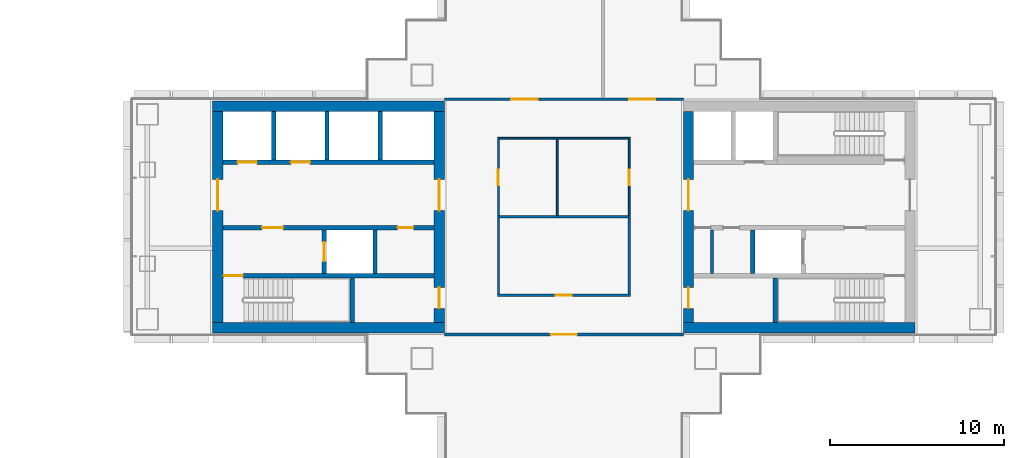
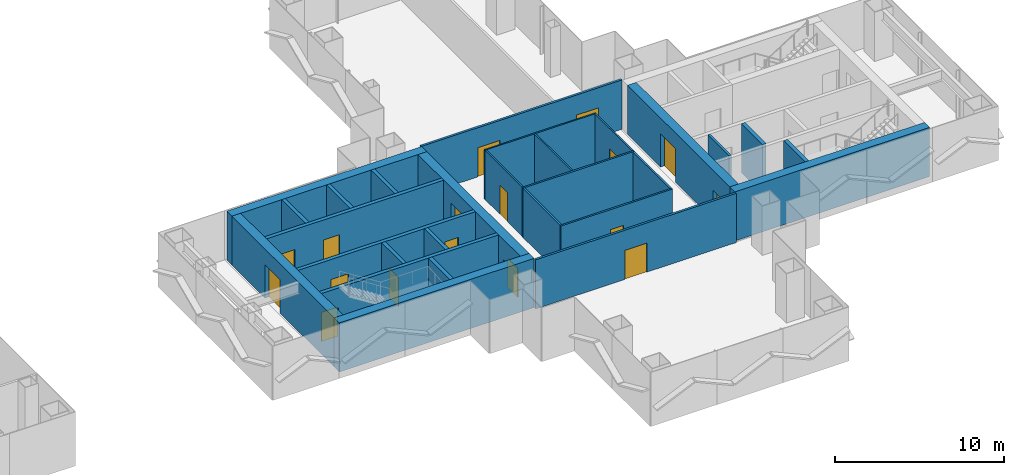
# One storey, part 13 of 19: 28 walls, 17 doors, 17 openings.
"""IFC4 building model written with IfcOpenShell, lengths in metres."""

from ifc_helpers import new_model, si_unit, direction, frame, frame_2d, origin, place, context, subcontext, project, spatial, rectangle, extrude, material, layer, layer_set, type_object, element, fill, save


model = new_model("IFC4")

# Units and contexts
model_context = context("Model", 3, precision=1e-05, world=origin(), true_north=direction((0.0, 1.0)))
body_context = subcontext(model_context, "Body", "Model", "MODEL_VIEW")
ifc_project = project(units=[si_unit("LENGTHUNIT", "METRE"), si_unit("AREAUNIT", "SQUARE_METRE"), si_unit("VOLUMEUNIT", "CUBIC_METRE"), si_unit("PLANEANGLEUNIT", "RADIAN"), si_unit("MASSUNIT", "GRAM", prefix="KILO")], contexts=[model_context])

# Site, building, storey
site_placement = place(None, origin())
site = spatial("IfcSite", under=ifc_project, at=site_placement, CompositionType="ELEMENT")
building_placement = place(site_placement, origin())
building = spatial("IfcBuilding", under=site, at=building_placement, Name="Shamsa Quay Exchange Towers", CompositionType="ELEMENT")
storey_placement = place(building_placement, frame((0.0, 0.0, 85.800048828125)))
storey = spatial("IfcBuildingStorey", under=building, at=storey_placement, Name="L19", CompositionType="ELEMENT", Elevation=85.800048828125)

# Walls
ifc_material_1 = material(Name="Concrete C70/85", Category="concrete")
ifc_layer_1 = layer(ifc_material_1, 0.60009765625)
ifc_layer_set_1 = layer_set([ifc_layer_1], Name="CORE WALL 600 C70/85")
wall_type_1 = type_object("IfcWallType", Name="CORE WALL 600 C70/85", PredefinedType="SHEAR", material=ifc_layer_set_1)
for number, where, name in (
    (1, (13.60009765625, -6.35009765625, 0.0), "Core wall T2A-R08-PS"),
    (2, (13.60009765625, 6.35009765625, 0.0), "Core wall T2A-R08-PN"),
):
    element("IfcWall", number, at=place(storey_placement, frame(where)), inside=storey, type_object=wall_type_1, Name=name, PredefinedType="SHEAR", context=body_context, shape_type="SweptSolid", body=[
        extrude(rectangle(XDim=13.2998046875, YDim=0.60009765625, at=frame_2d((6.64990234375, 0.0))), origin(), (0.0, 0.0, 1.0), 3.550048828125),
    ])

# Wall, opening, door
wall_1_placement = place(storey_placement, frame((13.89990234375, 6.050048828125, 0.0), z_axis=(0.0, 0.0, 1.0), x_axis=(0.0, -1.0, 0.0)))
wall_1 = element("IfcWall", 3, at=wall_1_placement, inside=storey, type_object=wall_type_1, Name="Core wall T2A-R08-PF", PredefinedType="SHEAR", context=body_context, shape_type="SweptSolid", body=[
    extrude(rectangle(XDim=12.10009765625, YDim=0.60009765625, at=frame_2d((6.050048828125, 0.0))), origin(), (0.0, 0.0, 1.0), 3.550048828125),
])
opening_1_placement = place(wall_1_placement, frame((3.89990234375, 0.0, 0.0)))
opening_1 = element("IfcOpeningElement", 4, at=opening_1_placement, cuts=wall_1, Name="Opening T2A-R08-LBD01", PredefinedType="OPENING", context=body_context, shape_type="SweptSolid", body=[
    extrude(rectangle(XDim=1.800048828125, YDim=2.39990234375, at=frame_2d((0.89990234375, 1.199951171875))), frame((0.0, 0.31005859375, 0.0), z_axis=(0.0, -1.0, 0.0), x_axis=(1.0, 0.0, 0.0)), (0.0, 0.0, 1.0), 0.6201171875),
])
ifc_material_2 = material(Name="Steel, fire rated", Category="steel")
door_type_1 = type_object("IfcDoorType", Name="LIFT LOBBY DOOR PAIR 1800", OperationType="DOUBLE_DOOR_SINGLE_SWING", PredefinedType="DOOR", material=ifc_material_2)
door_1_placement = place(opening_1_placement, origin())
door_1 = element("IfcDoor", 5, at=door_1_placement, inside=storey, type_object=door_type_1, Name="T2A-R08-LBD01", OperationType="DOUBLE_DOOR_SINGLE_SWING", OverallHeight=2.39990234375, OverallWidth=1.800048828125, PredefinedType="DOOR", context=body_context, shape_type="SweptSolid", body=[
    extrude(rectangle(XDim=1.800048828125, YDim=2.39990234375, at=frame_2d((0.89990234375, 1.199951171875))), frame((0.0, 0.02490234375, 0.0), z_axis=(0.0, -1.0, 0.0), x_axis=(1.0, 0.0, 0.0)), (0.0, 0.0, 1.0), 0.050048828125),
])
fill(opening_1, door_1)

# Wall, openings, doors
wall_2_placement = place(storey_placement, frame((26.60009765625, 6.050048828125, 0.0), z_axis=(0.0, 0.0, 1.0), x_axis=(0.0, -1.0, 0.0)))
wall_2 = element("IfcWall", 6, at=wall_2_placement, inside=storey, type_object=wall_type_1, Name="Core wall T2A-R08-PB", PredefinedType="SHEAR", context=body_context, shape_type="SweptSolid", body=[
    extrude(rectangle(XDim=12.10009765625, YDim=0.60009765625, at=frame_2d((6.050048828125, 0.0))), origin(), (0.0, 0.0, 1.0), 3.550048828125),
])
opening_2_placement = place(wall_2_placement, frame((10.10009765625, 0.0, 0.0)))
opening_2 = element("IfcOpeningElement", 7, at=opening_2_placement, cuts=wall_2, Name="Opening T2A-R08-RD02", PredefinedType="OPENING", context=body_context, shape_type="SweptSolid", body=[
    extrude(rectangle(XDim=1.199951171875, YDim=2.10009765625, at=frame_2d((0.60009765625, 1.050048828125))), frame((0.0, 0.31005859375, 0.0), z_axis=(0.0, -1.0, 0.0), x_axis=(1.0, 0.0, 0.0)), (0.0, 0.0, 1.0), 0.6201171875),
])
opening_3_placement = place(wall_2_placement, frame((3.89990234375, 0.0, 0.0)))
opening_3 = element("IfcOpeningElement", 8, at=opening_3_placement, cuts=wall_2, Name="Opening T2A-R08-LBD03", PredefinedType="OPENING", context=body_context, shape_type="SweptSolid", body=[
    extrude(rectangle(XDim=1.800048828125, YDim=2.39990234375, at=frame_2d((0.89990234375, 1.199951171875))), frame((0.0, 0.31005859375, 0.0), z_axis=(0.0, -1.0, 0.0), x_axis=(1.0, 0.0, 0.0)), (0.0, 0.0, 1.0), 0.6201171875),
])
door_2_placement = place(opening_3_placement, origin())
door_2 = element("IfcDoor", 9, at=door_2_placement, inside=storey, type_object=door_type_1, Name="T2A-R08-LBD03", OperationType="DOUBLE_DOOR_SINGLE_SWING", OverallHeight=2.39990234375, OverallWidth=1.800048828125, PredefinedType="DOOR", context=body_context, shape_type="SweptSolid", body=[
    extrude(rectangle(XDim=1.800048828125, YDim=2.39990234375, at=frame_2d((0.89990234375, 1.199951171875))), frame((0.0, 0.02490234375, 0.0), z_axis=(0.0, -1.0, 0.0), x_axis=(1.0, 0.0, 0.0)), (0.0, 0.0, 1.0), 0.050048828125),
])
fill(opening_3, door_2)
door_type_2 = type_object("IfcDoorType", Name="RISER ACCESS DOOR 1200", OperationType="SINGLE_SWING_LEFT", PredefinedType="DOOR", material=ifc_material_2)
door_3_placement = place(opening_2_placement, origin())
door_3 = element("IfcDoor", 10, at=door_3_placement, inside=storey, type_object=door_type_2, Name="T2A-R08-RD02", OperationType="SINGLE_SWING_RIGHT", OverallHeight=2.10009765625, OverallWidth=1.199951171875, PredefinedType="DOOR", context=body_context, shape_type="SweptSolid", body=[
    extrude(rectangle(XDim=1.199951171875, YDim=2.10009765625, at=frame_2d((0.60009765625, 1.050048828125))), frame((0.0, 0.02490234375, 0.0), z_axis=(0.0, -1.0, 0.0), x_axis=(1.0, 0.0, 0.0)), (0.0, 0.0, 1.0), 0.050048828125),
])
fill(opening_2, door_3)

# Wall
wall_3_placement = place(storey_placement, frame((53.89990234375, -6.35009765625, 0.0), z_axis=(0.0, 0.0, 1.0), x_axis=(-1.0, 0.0, 0.0)))
element("IfcWall", 11, at=wall_3_placement, inside=storey, type_object=wall_type_1, Name="Core wall T2B-R08-PS", PredefinedType="SHEAR", context=body_context, shape_type="SweptSolid", body=[
    extrude(rectangle(XDim=13.2998046875, YDim=0.60009765625, at=frame_2d((6.64990234375, 0.0))), origin(), (0.0, 0.0, 1.0), 3.550048828125),
])

# Wall, openings, doors
wall_4_placement = place(storey_placement, frame((40.89990234375, -6.050048828125, 0.0), z_axis=(0.0, 0.0, 1.0), x_axis=(0.0, 1.0, 0.0)))
wall_4 = element("IfcWall", 12, at=wall_4_placement, inside=storey, type_object=wall_type_1, Name="Core wall T2B-R08-PB", PredefinedType="SHEAR", context=body_context, shape_type="SweptSolid", body=[
    extrude(rectangle(XDim=12.10009765625, YDim=0.60009765625, at=frame_2d((6.050048828125, 0.0))), origin(), (0.0, 0.0, 1.0), 3.550048828125),
])
opening_4_placement = place(wall_4_placement, frame((0.800048828125, 0.0, 0.0)))
opening_4 = element("IfcOpeningElement", 13, at=opening_4_placement, cuts=wall_4, Name="Opening T2B-R08-RD02", PredefinedType="OPENING", context=body_context, shape_type="SweptSolid", body=[
    extrude(rectangle(XDim=1.199951171875, YDim=2.10009765625, at=frame_2d((0.60009765625, 1.050048828125))), frame((0.0, 0.31005859375, 0.0), z_axis=(0.0, -1.0, 0.0), x_axis=(1.0, 0.0, 0.0)), (0.0, 0.0, 1.0), 0.6201171875),
])
opening_5_placement = place(wall_4_placement, frame((6.39990234375, 0.0, 0.0)))
opening_5 = element("IfcOpeningElement", 14, at=opening_5_placement, cuts=wall_4, Name="Opening T2B-R08-LBD03", PredefinedType="OPENING", context=body_context, shape_type="SweptSolid", body=[
    extrude(rectangle(XDim=1.800048828125, YDim=2.39990234375, at=frame_2d((0.89990234375, 1.199951171875))), frame((0.0, 0.31005859375, 0.0), z_axis=(0.0, -1.0, 0.0), x_axis=(1.0, 0.0, 0.0)), (0.0, 0.0, 1.0), 0.6201171875),
])
door_4_placement = place(opening_5_placement, origin())
door_4 = element("IfcDoor", 15, at=door_4_placement, inside=storey, type_object=door_type_1, Name="T2B-R08-LBD03", OperationType="DOUBLE_DOOR_SINGLE_SWING", OverallHeight=2.39990234375, OverallWidth=1.800048828125, PredefinedType="DOOR", context=body_context, shape_type="SweptSolid", body=[
    extrude(rectangle(XDim=1.800048828125, YDim=2.39990234375, at=frame_2d((0.89990234375, 1.199951171875))), frame((0.0, 0.02490234375, 0.0), z_axis=(0.0, -1.0, 0.0), x_axis=(1.0, 0.0, 0.0)), (0.0, 0.0, 1.0), 0.050048828125),
])
fill(opening_5, door_4)
door_5_placement = place(opening_4_placement, origin())
door_5 = element("IfcDoor", 16, at=door_5_placement, inside=storey, type_object=door_type_2, Name="T2B-R08-RD02", OperationType="SINGLE_SWING_LEFT", OverallHeight=2.10009765625, OverallWidth=1.199951171875, PredefinedType="DOOR", context=body_context, shape_type="SweptSolid", body=[
    extrude(rectangle(XDim=1.199951171875, YDim=2.10009765625, at=frame_2d((0.60009765625, 1.050048828125))), frame((0.0, 0.02490234375, 0.0), z_axis=(0.0, -1.0, 0.0), x_axis=(1.0, 0.0, 0.0)), (0.0, 0.0, 1.0), 0.050048828125),
])
fill(opening_4, door_5)

# Walls
ifc_material_3 = material(Name="Gypsum board on steel studs, EI 60", Category="steel")
ifc_layer_2 = layer(ifc_material_3, 0.14990234375)
ifc_layer_set_2 = layer_set([ifc_layer_2], Name="FIRE PARTITION 150")
wall_type_2 = type_object("IfcWallType", Name="FIRE PARTITION 150", PredefinedType="PARTITIONING", material=ifc_layer_set_2)
wall_5_placement = place(storey_placement, frame((42.25, -3.25, 0.0), z_axis=(0.0, 0.0, 1.0), x_axis=(0.0, 1.0, 0.0)))
element("IfcWall", 17, at=wall_5_placement, inside=storey, type_object=wall_type_2, Name="Partition T2B-R08-EC0", PredefinedType="PARTITIONING", context=body_context, shape_type="SweptSolid", body=[
    extrude(rectangle(XDim=2.5, YDim=0.14990234375, at=frame_2d((1.25, 0.0))), origin(), (0.0, 0.0, 1.0), 3.550048828125),
])
ifc_material_4 = material(Name="Laminated fire-resisting glass in a metal frame", Category="glass")
ifc_layer_3 = layer(ifc_material_4, 0.125)
ifc_layer_set_3 = layer_set([ifc_layer_3], Name="Glazed partition 125 mm EI 60")
wall_type_3 = type_object("IfcWallType", Name="Glazed partition 125 mm EI 60", PredefinedType="PARTITIONING", material=ifc_layer_set_3)
wall_6_placement = place(storey_placement, frame((37.5, -4.4375, 0.0), z_axis=(0.0, 0.0, 1.0), x_axis=(0.0, 1.0, 0.0)))
element("IfcWall", 18, at=wall_6_placement, inside=storey, type_object=wall_type_3, Name="Partition T2-R08-W01", PredefinedType="PARTITIONING", context=body_context, shape_type="SweptSolid", body=[
    extrude(rectangle(XDim=4.375, YDim=0.125, at=frame_2d((2.1875, 0.0))), origin(), (0.0, 0.0, 1.0), 3.550048828125),
])

# Wall, opening, door
wall_7_placement = place(storey_placement, frame((29.9375, -4.5, 0.0)))
wall_7 = element("IfcWall", 19, at=wall_7_placement, inside=storey, type_object=wall_type_3, Name="Partition T2-R08-W02", PredefinedType="PARTITIONING", context=body_context, shape_type="SweptSolid", body=[
    extrude(rectangle(XDim=7.625, YDim=0.125, at=frame_2d((3.8125, 0.0))), origin(), (0.0, 0.0, 1.0), 3.550048828125),
])
opening_6_placement = place(wall_7_placement, frame((3.362548828125, 0.0, 0.0)))
opening_6 = element("IfcOpeningElement", 20, at=opening_6_placement, cuts=wall_7, Name="Opening T2-R08-D03", PredefinedType="OPENING", context=body_context, shape_type="SweptSolid", body=[
    extrude(rectangle(XDim=0.89990234375, YDim=2.10009765625, at=frame_2d((0.449951171875, 1.050048828125))), frame((0.0, 0.072509765625, 0.0), z_axis=(0.0, -1.0, 0.0), x_axis=(1.0, 0.0, 0.0)), (0.0, 0.0, 1.0), 0.14501953125),
])
ifc_material_5 = material(Name="Timber door leaf in a metal frame", Category="wood")
door_type_3 = type_object("IfcDoorType", Name="Door 900x2100 FD30S", OperationType="NOTDEFINED", PredefinedType="DOOR", material=ifc_material_5)
door_6_placement = place(opening_6_placement, origin())
door_6 = element("IfcDoor", 21, at=door_6_placement, inside=storey, type_object=door_type_3, Name="Door T2-R08-D03", OperationType="SINGLE_SWING_RIGHT", OverallHeight=2.10009765625, OverallWidth=0.89990234375, PredefinedType="DOOR", context=body_context, shape_type="SweptSolid", body=[
    extrude(rectangle(XDim=0.89990234375, YDim=2.10009765625, at=frame_2d((0.449951171875, 1.050048828125))), frame((0.0, 0.02490234375, 0.0), z_axis=(0.0, -1.0, 0.0), x_axis=(1.0, 0.0, 0.0)), (0.0, 0.0, 1.0), 0.050048828125),
])
fill(opening_6, door_6)

# Walls
wall_8_placement = place(storey_placement, frame((30.0, -0.0625, 0.0), z_axis=(0.0, 0.0, 1.0), x_axis=(0.0, -1.0, 0.0)))
element("IfcWall", 22, at=wall_8_placement, inside=storey, type_object=wall_type_3, Name="Partition T2-R08-W03", PredefinedType="PARTITIONING", context=body_context, shape_type="SweptSolid", body=[
    extrude(rectangle(XDim=4.375, YDim=0.125, at=frame_2d((2.1875, 0.0))), origin(), (0.0, 0.0, 1.0), 3.550048828125),
])
wall_9_placement = place(storey_placement, frame((37.5625, 0.0, 0.0), z_axis=(0.0, 0.0, 1.0), x_axis=(-1.0, 0.0, 0.0)))
element("IfcWall", 23, at=wall_9_placement, inside=storey, type_object=wall_type_3, Name="Partition T2-R08-W09", PredefinedType="PARTITIONING", context=body_context, shape_type="SweptSolid", body=[
    extrude(rectangle(XDim=7.625, YDim=0.125, at=frame_2d((3.8125, 0.0))), origin(), (0.0, 0.0, 1.0), 3.550048828125),
])

# Wall, opening, door
ifc_material_6 = material(Name="Gypsum board partition on metal studs")
ifc_layer_4 = layer(ifc_material_6, 0.10009765625)
ifc_layer_set_4 = layer_set([ifc_layer_4], Name="Partition 100 mm NOT RATED")
wall_type_4 = type_object("IfcWallType", Name="Partition 100 mm NOT RATED", PredefinedType="PARTITIONING", material=ifc_layer_set_4)
wall_10_placement = place(storey_placement, frame((37.5, 0.0625, 0.0), z_axis=(0.0, 0.0, 1.0), x_axis=(0.0, 1.0, 0.0)))
wall_10 = element("IfcWall", 24, at=wall_10_placement, inside=storey, type_object=wall_type_4, Name="Partition T2-R08-W04", PredefinedType="PARTITIONING", context=body_context, shape_type="SweptSolid", body=[
    extrude(rectangle(XDim=4.387451171875, YDim=0.10009765625, at=frame_2d((2.19384765625, 0.0))), origin(), (0.0, 0.0, 1.0), 3.550048828125),
])
opening_7_placement = place(wall_10_placement, frame((1.737548828125, 0.0, 0.0)))
opening_7 = element("IfcOpeningElement", 25, at=opening_7_placement, cuts=wall_10, Name="Opening T2-R08-D04", PredefinedType="OPENING", context=body_context, shape_type="SweptSolid", body=[
    extrude(rectangle(XDim=0.89990234375, YDim=2.10009765625, at=frame_2d((0.449951171875, 1.050048828125))), frame((0.0, 0.06005859375, 0.0), z_axis=(0.0, -1.0, 0.0), x_axis=(1.0, 0.0, 0.0)), (0.0, 0.0, 1.0), 0.1201171875),
])
door_type_4 = type_object("IfcDoorType", Name="Door 900x2100 NOT RATED", OperationType="NOTDEFINED", PredefinedType="DOOR", material=ifc_material_5)
door_7_placement = place(opening_7_placement, origin())
door_7 = element("IfcDoor", 26, at=door_7_placement, inside=storey, type_object=door_type_4, Name="Door T2-R08-D04", OperationType="SINGLE_SWING_LEFT", OverallHeight=2.10009765625, OverallWidth=0.89990234375, PredefinedType="DOOR", context=body_context, shape_type="SweptSolid", body=[
    extrude(rectangle(XDim=0.89990234375, YDim=2.10009765625, at=frame_2d((0.449951171875, 1.050048828125))), frame((0.0, 0.02490234375, 0.0), z_axis=(0.0, -1.0, 0.0), x_axis=(1.0, 0.0, 0.0)), (0.0, 0.0, 1.0), 0.050048828125),
])
fill(opening_7, door_7)

# Wall
wall_11_placement = place(storey_placement, frame((37.550048828125, 4.5, 0.0), z_axis=(0.0, 0.0, 1.0), x_axis=(-1.0, 0.0, 0.0)))
element("IfcWall", 27, at=wall_11_placement, inside=storey, type_object=wall_type_4, Name="Partition T2-R08-W05", PredefinedType="PARTITIONING", context=body_context, shape_type="SweptSolid", body=[
    extrude(rectangle(XDim=7.60009765625, YDim=0.10009765625, at=frame_2d((3.800048828125, 0.0))), origin(), (0.0, 0.0, 1.0), 3.550048828125),
])

# Wall, opening, door
wall_12_placement = place(storey_placement, frame((30.0, 4.449951171875, 0.0), z_axis=(0.0, 0.0, 1.0), x_axis=(0.0, -1.0, 0.0)))
wall_12 = element("IfcWall", 28, at=wall_12_placement, inside=storey, type_object=wall_type_4, Name="Partition T2-R08-W06", PredefinedType="PARTITIONING", context=body_context, shape_type="SweptSolid", body=[
    extrude(rectangle(XDim=4.387451171875, YDim=0.10009765625, at=frame_2d((2.19384765625, 0.0))), origin(), (0.0, 0.0, 1.0), 3.550048828125),
])
opening_8_placement = place(wall_12_placement, frame((1.75, 0.0, 0.0)))
opening_8 = element("IfcOpeningElement", 29, at=opening_8_placement, cuts=wall_12, Name="Opening T2-R08-D05", PredefinedType="OPENING", context=body_context, shape_type="SweptSolid", body=[
    extrude(rectangle(XDim=0.89990234375, YDim=2.10009765625, at=frame_2d((0.449951171875, 1.050048828125))), frame((0.0, 0.06005859375, 0.0), z_axis=(0.0, -1.0, 0.0), x_axis=(1.0, 0.0, 0.0)), (0.0, 0.0, 1.0), 0.1201171875),
])
door_8_placement = place(opening_8_placement, origin())
door_8 = element("IfcDoor", 30, at=door_8_placement, inside=storey, type_object=door_type_4, Name="Door T2-R08-D05", OperationType="SINGLE_SWING_LEFT", OverallHeight=2.10009765625, OverallWidth=0.89990234375, PredefinedType="DOOR", context=body_context, shape_type="SweptSolid", body=[
    extrude(rectangle(XDim=0.89990234375, YDim=2.10009765625, at=frame_2d((0.449951171875, 1.050048828125))), frame((0.0, 0.02490234375, 0.0), z_axis=(0.0, -1.0, 0.0), x_axis=(1.0, 0.0, 0.0)), (0.0, 0.0, 1.0), 0.050048828125),
])
fill(opening_8, door_8)

# Wall
wall_13_placement = place(storey_placement, frame((33.375, 4.449951171875, 0.0), z_axis=(0.0, 0.0, 1.0), x_axis=(0.0, -1.0, 0.0)))
element("IfcWall", 31, at=wall_13_placement, inside=storey, type_object=wall_type_4, Name="Partition T2-R08-W10", PredefinedType="PARTITIONING", context=body_context, shape_type="SweptSolid", body=[
    extrude(rectangle(XDim=4.387451171875, YDim=0.10009765625, at=frame_2d((2.19384765625, 0.0))), origin(), (0.0, 0.0, 1.0), 3.550048828125),
])

# Wall, openings, doors
ifc_layer_5 = layer(ifc_material_6, 0.14990234375)
ifc_layer_set_5 = layer_set([ifc_layer_5], Name="Partition 150 mm EI 60")
wall_type_5 = type_object("IfcWallType", Name="Partition 150 mm EI 60", PredefinedType="PARTITIONING", material=ifc_layer_set_5)
wall_14_placement = place(storey_placement, frame((26.89990234375, 6.75, 0.0)))
wall_14 = element("IfcWall", 32, at=wall_14_placement, inside=storey, type_object=wall_type_5, Name="Partition T2-R08-W07", PredefinedType="PARTITIONING", context=body_context, shape_type="SweptSolid", body=[
    extrude(rectangle(XDim=13.7001953125, YDim=0.14990234375, at=frame_2d((6.85009765625, 0.0))), origin(), (0.0, 0.0, 1.0), 3.550048828125),
])
opening_9_placement = place(wall_14_placement, frame((10.60009765625, 0.0, 0.0)))
opening_9 = element("IfcOpeningElement", 33, at=opening_9_placement, cuts=wall_14, Name="Opening T2-R08-D01", PredefinedType="OPENING", context=body_context, shape_type="SweptSolid", body=[
    extrude(rectangle(XDim=1.5, YDim=2.10009765625, at=frame_2d((0.75, 1.050048828125))), frame((0.0, 0.0849609375, 0.0), z_axis=(0.0, -1.0, 0.0), x_axis=(1.0, 0.0, 0.0)), (0.0, 0.0, 1.0), 0.169921875),
])
opening_10_placement = place(wall_14_placement, frame((3.85009765625, 0.0, 0.0)))
opening_10 = element("IfcOpeningElement", 34, at=opening_10_placement, cuts=wall_14, Name="Opening T2-R08-D02", PredefinedType="OPENING", context=body_context, shape_type="SweptSolid", body=[
    extrude(rectangle(XDim=1.5, YDim=2.10009765625, at=frame_2d((0.75, 1.050048828125))), frame((0.0, 0.0849609375, 0.0), z_axis=(0.0, -1.0, 0.0), x_axis=(1.0, 0.0, 0.0)), (0.0, 0.0, 1.0), 0.169921875),
])
door_type_5 = type_object("IfcDoorType", Name="Door 1500x2100 FD30S pair", OperationType="NOTDEFINED", PredefinedType="DOOR", material=ifc_material_5)
door_9_placement = place(opening_9_placement, origin())
door_9 = element("IfcDoor", 35, at=door_9_placement, inside=storey, type_object=door_type_5, Name="Door T2-R08-D01", OperationType="DOUBLE_DOOR_SINGLE_SWING", OverallHeight=2.10009765625, OverallWidth=1.5, PredefinedType="DOOR", context=body_context, shape_type="SweptSolid", body=[
    extrude(rectangle(XDim=1.5, YDim=2.10009765625, at=frame_2d((0.75, 1.050048828125))), frame((0.0, 0.02490234375, 0.0), z_axis=(0.0, -1.0, 0.0), x_axis=(1.0, 0.0, 0.0)), (0.0, 0.0, 1.0), 0.050048828125),
])
fill(opening_9, door_9)
door_10_placement = place(opening_10_placement, origin())
door_10 = element("IfcDoor", 36, at=door_10_placement, inside=storey, type_object=door_type_5, Name="Door T2-R08-D02", OperationType="DOUBLE_DOOR_SINGLE_SWING", OverallHeight=2.10009765625, OverallWidth=1.5, PredefinedType="DOOR", context=body_context, shape_type="SweptSolid", body=[
    extrude(rectangle(XDim=1.5, YDim=2.10009765625, at=frame_2d((0.75, 1.050048828125))), frame((0.0, 0.02490234375, 0.0), z_axis=(0.0, -1.0, 0.0), x_axis=(1.0, 0.0, 0.0)), (0.0, 0.0, 1.0), 0.050048828125),
])
fill(opening_10, door_10)

# Wall, opening, door
wall_15_placement = place(storey_placement, frame((40.60009765625, -6.75, 0.0), z_axis=(0.0, 0.0, 1.0), x_axis=(-1.0, 0.0, 0.0)))
wall_15 = element("IfcWall", 37, at=wall_15_placement, inside=storey, type_object=wall_type_5, Name="Partition T2-R08-W08", PredefinedType="PARTITIONING", context=body_context, shape_type="SweptSolid", body=[
    extrude(rectangle(XDim=13.7001953125, YDim=0.14990234375, at=frame_2d((6.85009765625, 0.0))), origin(), (0.0, 0.0, 1.0), 3.550048828125),
])
opening_11_placement = place(wall_15_placement, frame((6.10009765625, 0.0, 0.0)))
opening_11 = element("IfcOpeningElement", 38, at=opening_11_placement, cuts=wall_15, Name="Opening T2-R08-D06", PredefinedType="OPENING", context=body_context, shape_type="SweptSolid", body=[
    extrude(rectangle(XDim=1.5, YDim=2.10009765625, at=frame_2d((0.75, 1.050048828125))), frame((0.0, 0.0849609375, 0.0), z_axis=(0.0, -1.0, 0.0), x_axis=(1.0, 0.0, 0.0)), (0.0, 0.0, 1.0), 0.169921875),
])
door_11_placement = place(opening_11_placement, origin())
door_11 = element("IfcDoor", 39, at=door_11_placement, inside=storey, type_object=door_type_5, Name="Door T2-R08-D06", OperationType="DOUBLE_DOOR_SINGLE_SWING", OverallHeight=2.10009765625, OverallWidth=1.5, PredefinedType="DOOR", context=body_context, shape_type="SweptSolid", body=[
    extrude(rectangle(XDim=1.5, YDim=2.10009765625, at=frame_2d((0.75, 1.050048828125))), frame((0.0, 0.02490234375, 0.0), z_axis=(0.0, -1.0, 0.0), x_axis=(1.0, 0.0, 0.0)), (0.0, 0.0, 1.0), 0.050048828125),
])
fill(opening_11, door_11)

ifc_material_7 = material(Name="Concrete C50/60", Category="concrete")
ifc_layer_6 = layer(ifc_material_7, 0.25)
ifc_layer_set_6 = layer_set([ifc_layer_6], Name="SHAFT WALL 250 C50/60")
wall_type_6 = type_object("IfcWallType", Name="SHAFT WALL 250 C50/60", PredefinedType="SHEAR", material=ifc_layer_set_6)
wall_16_placement = place(storey_placement, frame((26.300048828125, -3.375, 0.0), z_axis=(0.0, 0.0, 1.0), x_axis=(-1.0, 0.0, 0.0)))
wall_16 = element("IfcWall", 40, at=wall_16_placement, inside=storey, type_object=wall_type_6, Name="Shaft wall T2A-R08-STL", PredefinedType="SHEAR", context=body_context, shape_type="SweptSolid", body=[
    extrude(rectangle(XDim=12.10009765625, YDim=0.25, at=frame_2d((6.050048828125, 0.0))), origin(), (0.0, 0.0, 1.0), 3.550048828125),
])
opening_12_placement = place(wall_16_placement, frame((10.949951171875, 0.0, 0.0)))
opening_12 = element("IfcOpeningElement", 41, at=opening_12_placement, cuts=wall_16, Name="Opening T2A-R08-SD04", PredefinedType="OPENING", context=body_context, shape_type="SweptSolid", body=[
    extrude(rectangle(XDim=1.10009765625, YDim=2.10009765625, at=frame_2d((0.550048828125, 1.050048828125))), frame((0.0, 0.135009765625, 0.0), z_axis=(0.0, -1.0, 0.0), x_axis=(1.0, 0.0, 0.0)), (0.0, 0.0, 1.0), 0.27001953125),
])
door_type_6 = type_object("IfcDoorType", Name="STAIR DOOR 1100", OperationType="SINGLE_SWING_LEFT", PredefinedType="DOOR", material=ifc_material_2)
door_12_placement = place(opening_12_placement, origin())
door_12 = element("IfcDoor", 42, at=door_12_placement, inside=storey, type_object=door_type_6, Name="T2A-R08-SD04", OperationType="SINGLE_SWING_RIGHT", OverallHeight=2.10009765625, OverallWidth=1.10009765625, PredefinedType="DOOR", context=body_context, shape_type="SweptSolid", body=[
    extrude(rectangle(XDim=1.10009765625, YDim=2.10009765625, at=frame_2d((0.550048828125, 1.050048828125))), frame((0.0, 0.02490234375, 0.0), z_axis=(0.0, -1.0, 0.0), x_axis=(1.0, 0.0, 0.0)), (0.0, 0.0, 1.0), 0.050048828125),
])
fill(opening_12, door_12)

# Wall
wall_17_placement = place(storey_placement, frame((21.625, -6.050048828125, 0.0), z_axis=(0.0, 0.0, 1.0), x_axis=(0.0, 1.0, 0.0)))
element("IfcWall", 43, at=wall_17_placement, inside=storey, type_object=wall_type_6, Name="Shaft wall T2A-R08-STF", PredefinedType="SHEAR", context=body_context, shape_type="SweptSolid", body=[
    extrude(rectangle(XDim=2.550048828125, YDim=0.25, at=frame_2d((1.27490234375, 0.0))), origin(), (0.0, 0.0, 1.0), 3.550048828125),
])

# Wall, openings, doors
wall_18_placement = place(storey_placement, frame((26.300048828125, -0.625, 0.0), z_axis=(0.0, 0.0, 1.0), x_axis=(-1.0, 0.0, 0.0)))
wall_18 = element("IfcWall", 44, at=wall_18_placement, inside=storey, type_object=wall_type_6, Name="Shaft wall T2A-R08-B", PredefinedType="SHEAR", context=body_context, shape_type="SweptSolid", body=[
    extrude(rectangle(XDim=12.10009765625, YDim=0.25, at=frame_2d((6.050048828125, 0.0))), origin(), (0.0, 0.0, 1.0), 3.550048828125),
])
opening_13_placement = place(wall_18_placement, frame((8.64990234375, 0.0, 0.0)))
opening_13 = element("IfcOpeningElement", 45, at=opening_13_placement, cuts=wall_18, Name="Opening T2A-R08-FD05", PredefinedType="OPENING", context=body_context, shape_type="SweptSolid", body=[
    extrude(rectangle(XDim=1.199951171875, YDim=2.10009765625, at=frame_2d((0.60009765625, 1.050048828125))), frame((0.0, 0.135009765625, 0.0), z_axis=(0.0, -1.0, 0.0), x_axis=(1.0, 0.0, 0.0)), (0.0, 0.0, 1.0), 0.27001953125),
])
opening_14_placement = place(wall_18_placement, frame((1.175048828125, 0.0, 0.0)))
opening_14 = element("IfcOpeningElement", 46, at=opening_14_placement, cuts=wall_18, Name="Opening T2A-R08-SV06", PredefinedType="OPENING", context=body_context, shape_type="SweptSolid", body=[
    extrude(rectangle(XDim=0.89990234375, YDim=2.10009765625, at=frame_2d((0.449951171875, 1.050048828125))), frame((0.0, 0.135009765625, 0.0), z_axis=(0.0, -1.0, 0.0), x_axis=(1.0, 0.0, 0.0)), (0.0, 0.0, 1.0), 0.27001953125),
])
door_type_7 = type_object("IfcDoorType", Name="FIRE SERVICE LOBBY DOOR 1200", OperationType="SINGLE_SWING_LEFT", PredefinedType="DOOR", material=ifc_material_2)
door_13_placement = place(opening_13_placement, origin())
door_13 = element("IfcDoor", 47, at=door_13_placement, inside=storey, type_object=door_type_7, Name="T2A-R08-FD05", OperationType="SINGLE_SWING_RIGHT", OverallHeight=2.10009765625, OverallWidth=1.199951171875, PredefinedType="DOOR", context=body_context, shape_type="SweptSolid", body=[
    extrude(rectangle(XDim=1.199951171875, YDim=2.10009765625, at=frame_2d((0.60009765625, 1.050048828125))), frame((0.0, 0.02490234375, 0.0), z_axis=(0.0, -1.0, 0.0), x_axis=(1.0, 0.0, 0.0)), (0.0, 0.0, 1.0), 0.050048828125),
])
fill(opening_13, door_13)
door_type_8 = type_object("IfcDoorType", Name="SERVICE ROOM DOOR 900", OperationType="SINGLE_SWING_LEFT", PredefinedType="DOOR", material=ifc_material_2)
door_14_placement = place(opening_14_placement, origin())
door_14 = element("IfcDoor", 48, at=door_14_placement, inside=storey, type_object=door_type_8, Name="T2A-R08-SV06", OperationType="SINGLE_SWING_LEFT", OverallHeight=2.10009765625, OverallWidth=0.89990234375, PredefinedType="DOOR", context=body_context, shape_type="SweptSolid", body=[
    extrude(rectangle(XDim=0.89990234375, YDim=2.10009765625, at=frame_2d((0.449951171875, 1.050048828125))), frame((0.0, 0.02490234375, 0.0), z_axis=(0.0, -1.0, 0.0), x_axis=(1.0, 0.0, 0.0)), (0.0, 0.0, 1.0), 0.050048828125),
])
fill(opening_14, door_14)

# Wall, opening, door
wall_19_placement = place(storey_placement, frame((20.02490234375, -3.25, 0.0), z_axis=(0.0, 0.0, 1.0), x_axis=(0.0, 1.0, 0.0)))
wall_19 = element("IfcWall", 49, at=wall_19_placement, inside=storey, type_object=wall_type_6, Name="Shaft wall T2A-R08-FFF", PredefinedType="SHEAR", context=body_context, shape_type="SweptSolid", body=[
    extrude(rectangle(XDim=2.5, YDim=0.25, at=frame_2d((1.25, 0.0))), origin(), (0.0, 0.0, 1.0), 3.550048828125),
])
opening_15_placement = place(wall_19_placement, frame((0.699951171875, 0.0, 0.0)))
opening_15 = element("IfcOpeningElement", 50, at=opening_15_placement, cuts=wall_19, Name="Opening T2A-R08-LDF07", PredefinedType="OPENING", context=body_context, shape_type="SweptSolid", body=[
    extrude(rectangle(XDim=1.10009765625, YDim=2.10009765625, at=frame_2d((0.550048828125, 1.050048828125))), frame((0.0, 0.135009765625, 0.0), z_axis=(0.0, -1.0, 0.0), x_axis=(1.0, 0.0, 0.0)), (0.0, 0.0, 1.0), 0.27001953125),
])
door_type_9 = type_object("IfcDoorType", Name="FIRE SERVICE LANDING DOOR 1100", OperationType="SLIDING_TO_LEFT", PredefinedType="DOOR", material=ifc_material_2)
door_15_placement = place(opening_15_placement, origin())
door_15 = element("IfcDoor", 51, at=door_15_placement, inside=storey, type_object=door_type_9, Name="T2A-R08-LDF07", OperationType="SLIDING_TO_LEFT", OverallHeight=2.10009765625, OverallWidth=1.10009765625, PredefinedType="DOOR", context=body_context, shape_type="SweptSolid", body=[
    extrude(rectangle(XDim=1.10009765625, YDim=2.10009765625, at=frame_2d((0.550048828125, 1.050048828125))), frame((0.0, 0.02490234375, 0.0), z_axis=(0.0, -1.0, 0.0), x_axis=(1.0, 0.0, 0.0)), (0.0, 0.0, 1.0), 0.050048828125),
])
fill(opening_15, door_15)

# Wall
wall_20_placement = place(storey_placement, frame((22.925048828125, -3.25, 0.0), z_axis=(0.0, 0.0, 1.0), x_axis=(0.0, 1.0, 0.0)))
element("IfcWall", 52, at=wall_20_placement, inside=storey, type_object=wall_type_6, Name="Shaft wall T2A-R08-FFB", PredefinedType="SHEAR", context=body_context, shape_type="SweptSolid", body=[
    extrude(rectangle(XDim=2.5, YDim=0.25, at=frame_2d((1.25, 0.0))), origin(), (0.0, 0.0, 1.0), 3.550048828125),
])

# Wall, openings, doors
wall_21_placement = place(storey_placement, frame((14.199951171875, 3.125, 0.0)))
wall_21 = element("IfcWall", 53, at=wall_21_placement, inside=storey, type_object=wall_type_6, Name="Shaft wall T2A-R08-N", PredefinedType="SHEAR", context=body_context, shape_type="SweptSolid", body=[
    extrude(rectangle(XDim=12.10009765625, YDim=0.25, at=frame_2d((6.050048828125, 0.0))), origin(), (0.0, 0.0, 1.0), 3.550048828125),
])
opening_16_placement = place(wall_21_placement, frame((0.85009765625, 0.0, 0.0)))
opening_16 = element("IfcOpeningElement", 54, at=opening_16_placement, cuts=wall_21, Name="Opening T2A-R08-LD08", PredefinedType="OPENING", context=body_context, shape_type="SweptSolid", body=[
    extrude(rectangle(XDim=1.10009765625, YDim=2.10009765625, at=frame_2d((0.550048828125, 1.050048828125))), frame((0.0, 0.135009765625, 0.0), z_axis=(0.0, -1.0, 0.0), x_axis=(1.0, 0.0, 0.0)), (0.0, 0.0, 1.0), 0.27001953125),
])
opening_17_placement = place(wall_21_placement, frame((3.89990234375, 0.0, 0.0)))
opening_17 = element("IfcOpeningElement", 55, at=opening_17_placement, cuts=wall_21, Name="Opening T2A-R08-LD09", PredefinedType="OPENING", context=body_context, shape_type="SweptSolid", body=[
    extrude(rectangle(XDim=1.10009765625, YDim=2.10009765625, at=frame_2d((0.550048828125, 1.050048828125))), frame((0.0, 0.135009765625, 0.0), z_axis=(0.0, -1.0, 0.0), x_axis=(1.0, 0.0, 0.0)), (0.0, 0.0, 1.0), 0.27001953125),
])
door_type_10 = type_object("IfcDoorType", Name="LANDING DOOR 1100", OperationType="SLIDING_TO_LEFT", PredefinedType="DOOR", material=ifc_material_2)
door_16_placement = place(opening_16_placement, origin())
door_16 = element("IfcDoor", 56, at=door_16_placement, inside=storey, type_object=door_type_10, Name="T2A-R08-LD08", OperationType="SLIDING_TO_LEFT", OverallHeight=2.10009765625, OverallWidth=1.10009765625, PredefinedType="DOOR", context=body_context, shape_type="SweptSolid", body=[
    extrude(rectangle(XDim=1.10009765625, YDim=2.10009765625, at=frame_2d((0.550048828125, 1.050048828125))), frame((0.0, 0.02490234375, 0.0), z_axis=(0.0, -1.0, 0.0), x_axis=(1.0, 0.0, 0.0)), (0.0, 0.0, 1.0), 0.050048828125),
])
fill(opening_16, door_16)
door_17_placement = place(opening_17_placement, origin())
door_17 = element("IfcDoor", 57, at=door_17_placement, inside=storey, type_object=door_type_10, Name="T2A-R08-LD09", OperationType="SLIDING_TO_LEFT", OverallHeight=2.10009765625, OverallWidth=1.10009765625, PredefinedType="DOOR", context=body_context, shape_type="SweptSolid", body=[
    extrude(rectangle(XDim=1.10009765625, YDim=2.10009765625, at=frame_2d((0.550048828125, 1.050048828125))), frame((0.0, 0.02490234375, 0.0), z_axis=(0.0, -1.0, 0.0), x_axis=(1.0, 0.0, 0.0)), (0.0, 0.0, 1.0), 0.050048828125),
])
fill(opening_17, door_17)

# Walls
for number, where, z_axis, x_axis, name in (
    (58, (17.125, 3.25, 0.0), (0.0, 0.0, 1.0), (0.0, 1.0, 0.0), "Shaft wall T2A-R08-D0"),
    (59, (20.175048828125, 3.25, 0.0), (0.0, 0.0, 1.0), (0.0, 1.0, 0.0), "Shaft wall T2A-R08-D1"),
    (60, (23.22509765625, 3.25, 0.0), (0.0, 0.0, 1.0), (0.0, 1.0, 0.0), "Shaft wall T2A-R08-D2"),
):
    element("IfcWall", number, at=place(storey_placement, frame(where, z_axis=z_axis, x_axis=x_axis)), inside=storey, type_object=wall_type_6, Name=name, PredefinedType="SHEAR", context=body_context, shape_type="SweptSolid", body=[
        extrude(rectangle(XDim=2.800048828125, YDim=0.25, at=frame_2d((1.39990234375, 0.0))), origin(), (0.0, 0.0, 1.0), 3.550048828125),
    ])
wall_22_placement = place(storey_placement, frame((45.875, -6.050048828125, 0.0), z_axis=(0.0, 0.0, 1.0), x_axis=(0.0, 1.0, 0.0)))
element("IfcWall", 61, at=wall_22_placement, inside=storey, type_object=wall_type_6, Name="Shaft wall T2B-R08-STF", PredefinedType="SHEAR", context=body_context, shape_type="SweptSolid", body=[
    extrude(rectangle(XDim=2.550048828125, YDim=0.25, at=frame_2d((1.27490234375, 0.0))), origin(), (0.0, 0.0, 1.0), 3.550048828125),
])
wall_23_placement = place(storey_placement, frame((44.574951171875, -3.25, 0.0), z_axis=(0.0, 0.0, 1.0), x_axis=(0.0, 1.0, 0.0)))
element("IfcWall", 62, at=wall_23_placement, inside=storey, type_object=wall_type_6, Name="Shaft wall T2B-R08-FFB", PredefinedType="SHEAR", context=body_context, shape_type="SweptSolid", body=[
    extrude(rectangle(XDim=2.5, YDim=0.25, at=frame_2d((1.25, 0.0))), origin(), (0.0, 0.0, 1.0), 3.550048828125),
])

save(model, "model.ifc")
